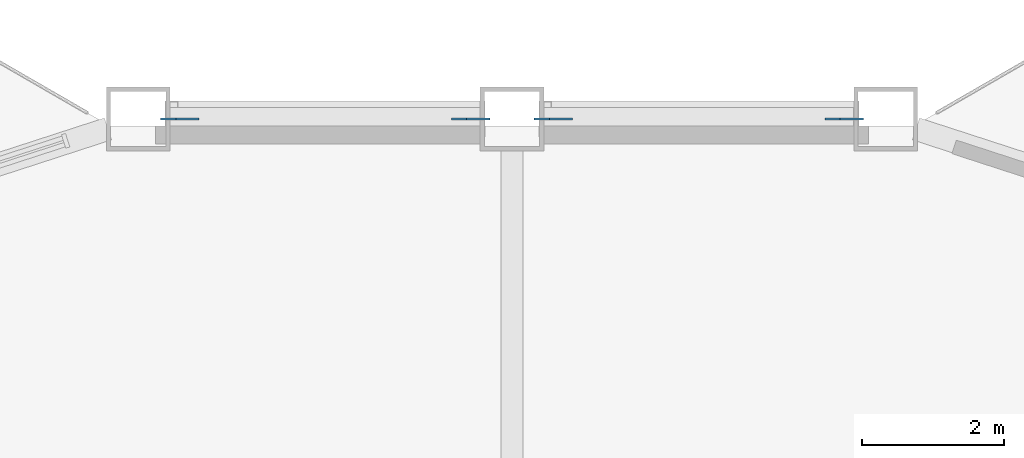
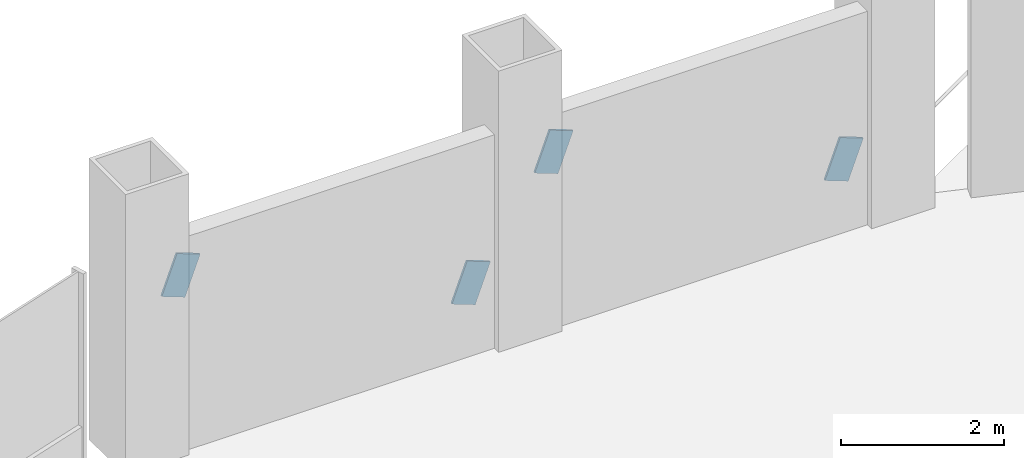
# One storey, part 16 of 21: 4 discrete accessories.
"""IFC4 building model written with IfcOpenShell, lengths in metres."""

import ifcopenshell
import ifcopenshell.guid

model = None  # the IFC model being written
_history = None  # IfcOwnerHistory: only IFC2X3 demands one
_inside = {}  # id of a spatial element -> (the spatial element, [elements in it])
_under = {}  # id of a project, library or spatial element -> (it, [spatial elements below it])
_declared = {}  # id of a project -> (the project, [libraries it declares])
_typed = {}  # id of a type object -> (the type object, [elements of that type])
_made_of = {}  # id of a material, layer set ... -> (it, [elements and type objects made of it])


def new_model(schema):
    """Start an empty IFC model of exactly this schema.

    Asked for "IFC4X3", IfcOpenShell would pick the latest addendum, in which some entities
    have other attributes; the version numbers below select the first issue.
    IFC2X3 requires an IfcOwnerHistory on every rooted entity: one is made here for all.
    """
    global model, _history
    if schema == "IFC4X3":
        model = ifcopenshell.file(schema_version=(4, 3, 0, 0))
    else:
        model = ifcopenshell.file(schema=schema)
    _inside.clear()
    _under.clear()
    _declared.clear()
    _typed.clear()
    _made_of.clear()
    _history = None
    if model.schema == "IFC2X3":
        org = make("IfcOrganization", Name="unknown")
        user = make(
            "IfcPersonAndOrganization",
            ThePerson=make("IfcPerson", FamilyName="unknown"),
            TheOrganization=org,
        )
        app = make(
            "IfcApplication",
            ApplicationDeveloper=org,
            Version="unknown",
            ApplicationFullName="unknown",
            ApplicationIdentifier="unknown",
        )
        _history = make(
            "IfcOwnerHistory",
            OwningUser=user,
            OwningApplication=app,
            ChangeAction="ADDED",
            CreationDate=0,
        )
    return model


def make(cls, **values):
    """One entity of the class cls with the attributes given. An attribute that is None is left unset."""
    return model.create_entity(
        cls, **{name: value for name, value in values.items() if value is not None}
    )


def rooted(cls, **values):
    """An entity with a GlobalId (a new one), such as an element, a storey or a relation."""
    return make(cls, GlobalId=ifcopenshell.guid.new(), OwnerHistory=_history, **values)


def si_unit(unit_type, name, prefix=None):
    """IfcSIUnit, for example si_unit("LENGTHUNIT", "METRE", prefix="MILLI")."""
    return make("IfcSIUnit", UnitType=unit_type, Prefix=prefix, Name=name)


def assignment(units):
    """IfcUnitAssignment: the units of a project."""
    return None if units is None else make("IfcUnitAssignment", Units=units)


def point(xyz):
    """IfcCartesianPoint."""
    return None if xyz is None else make("IfcCartesianPoint", Coordinates=xyz)


def direction(xyz):
    """IfcDirection."""
    return None if xyz is None else make("IfcDirection", DirectionRatios=xyz)


def frame(location, z_axis=None, x_axis=None):
    """IfcAxis2Placement3D, a coordinate frame: its origin and axes. An axis left out is left unset."""
    return make(
        "IfcAxis2Placement3D",
        Location=point(location),
        Axis=direction(z_axis),
        RefDirection=direction(x_axis),
    )


def frame_2d(location, x_axis=None):
    """IfcAxis2Placement2D, a coordinate frame in the plane: its origin and x axis."""
    return make(
        "IfcAxis2Placement2D", Location=point(location), RefDirection=direction(x_axis)
    )


def origin():
    """The frame at (0, 0, 0) with its axes left unset."""
    return frame((0.0, 0.0, 0.0))


def origin_2d():
    """The frame at (0, 0) in the plane with its x axis left unset."""
    return frame_2d((0.0, 0.0))


def place(relative_to, where):
    """IfcLocalPlacement: puts the frame where relative to a parent placement (None: the world)."""
    return make(
        "IfcLocalPlacement", PlacementRelTo=relative_to, RelativePlacement=where
    )


def context(
    kind, dimensions, precision=None, world=None, true_north=None, identifier=None
):
    """IfcGeometricRepresentationContext, for example the 3D "Model" context."""
    return make(
        "IfcGeometricRepresentationContext",
        ContextIdentifier=identifier,
        ContextType=kind,
        CoordinateSpaceDimension=dimensions,
        Precision=precision,
        WorldCoordinateSystem=world,
        TrueNorth=true_north,
    )


def subcontext(parent, identifier, kind, view, scale=None):
    """IfcGeometricRepresentationSubContext, for example "Body" below "Model"."""
    return make(
        "IfcGeometricRepresentationSubContext",
        ContextIdentifier=identifier,
        ContextType=kind,
        ParentContext=parent,
        TargetScale=scale,
        TargetView=view,
    )


def project(units=None, contexts=None):
    """IfcProject with its units and contexts."""
    return rooted(
        "IfcProject",
        Name="project",
        RepresentationContexts=contexts,
        UnitsInContext=assignment(units),
    )


def spatial(cls, under=None, at=None, **own):
    """A site, building, storey or space (cls), placed at a placement, below another one or the project."""
    s = rooted(cls, ObjectPlacement=at, **own)
    if under is not None:
        _under.setdefault(under.id(), (under, []))[1].append(s)
    return s


def profile(cls, at=None, kind="AREA", **sizes):
    """A parametric profile (cls). Its sizes go by their IFC names, for example OverallWidth=200.0."""
    return make(cls, ProfileType=kind, Position=at, **sizes)


def rectangle(**sizes):
    """IfcRectangleProfileDef."""
    return profile("IfcRectangleProfileDef", **sizes)


def extrude(swept, where, along, depth):
    """IfcExtrudedAreaSolid: the profile swept, set in the frame where, extruded along a direction by depth."""
    return make(
        "IfcExtrudedAreaSolid",
        SweptArea=swept,
        Position=where,
        ExtrudedDirection=direction(along),
        Depth=depth,
    )


def shape(context_of_items, identifier, shape_type, items):
    """IfcShapeRepresentation: the items that make up one representation, for example the "Body"."""
    return make(
        "IfcShapeRepresentation",
        ContextOfItems=context_of_items,
        RepresentationIdentifier=identifier,
        RepresentationType=shape_type,
        Items=items,
    )


def material(Name=None, Category=None):
    """IfcMaterial."""
    return make("IfcMaterial", Name=Name, Category=Category)


def material_profile(
    of_material, cross_section, Name=None, Category=None, Priority=None
):
    """IfcMaterialProfile: a cross section and its material."""
    return make(
        "IfcMaterialProfile",
        Name=Name,
        Material=of_material,
        Profile=cross_section,
        Priority=Priority,
        Category=Category,
    )


def profile_set(profiles, Name=None, composite=None):
    """IfcMaterialProfileSet."""
    return make(
        "IfcMaterialProfileSet",
        Name=Name,
        MaterialProfiles=profiles,
        CompositeProfile=composite,
    )


def made_of(thing, what):
    """Note that an element or type object is made of a material, layer set ...; save() writes the relation."""
    if what is not None:
        _made_of.setdefault(what.id(), (what, []))[1].append(thing)
    return thing


def type_object(cls, material=None, **own):
    """A type object (cls), such as IfcWallType, which elements share."""
    return made_of(rooted(cls, **own), material)


def element(
    cls,
    number,
    at=None,
    inside=None,
    cuts=None,
    type_object=None,
    material=None,
    context=None,
    identifier="Body",
    shape_type=None,
    held_by="IfcProductDefinitionShape",
    body=None,
    shapes=None,
    **own,
):
    """One element of the class cls, such as IfcWall. Its Tag is "e" and its number.

    at: its placement. inside: the storey or other place that contains it. cuts: it is an
    opening in that element (IfcRelVoidsElement). A single representation is given by context,
    identifier, shape_type and body (its items); several are given by shapes. held_by: the class
    of the entity that holds the representations. save() writes the other relations.
    """
    e = rooted(cls, Tag="e%d" % number, ObjectPlacement=at, **own)
    if body is not None:
        shapes = [shape(context, identifier, shape_type, body)]
    if shapes is not None:
        e.Representation = make(held_by, Representations=shapes)
    if inside is not None:
        _inside.setdefault(inside.id(), (inside, []))[1].append(e)
    if cuts is not None:
        rooted(
            "IfcRelVoidsElement", RelatingBuildingElement=cuts, RelatedOpeningElement=e
        )
    if type_object is not None:
        _typed.setdefault(type_object.id(), (type_object, []))[1].append(e)
    return made_of(e, material)


def aggregate(whole, parts):
    """IfcRelAggregates: a whole, such as a stair, and the parts it consists of."""
    return rooted("IfcRelAggregates", RelatingObject=whole, RelatedObjects=parts)


def save(model, path):
    """Write the relations noted so far, then the file.

    IfcRelAggregates (storeys below a building ...), IfcRelContainedInSpatialStructure (elements
    in a storey), IfcRelDefinesByType, IfcRelAssociatesMaterial and IfcRelDeclares: one each for
    every whole, place, type object, material and project.
    """
    for whole, parts in _under.values():
        aggregate(whole, parts)
    for where, things in _inside.values():
        rooted(
            "IfcRelContainedInSpatialStructure",
            RelatedElements=things,
            RelatingStructure=where,
        )
    for kind, things in _typed.values():
        rooted("IfcRelDefinesByType", RelatedObjects=things, RelatingType=kind)
    for what, things in _made_of.values():
        rooted("IfcRelAssociatesMaterial", RelatedObjects=things, RelatingMaterial=what)
    for by, libraries in _declared.values():
        rooted("IfcRelDeclares", RelatingContext=by, RelatedDefinitions=libraries)
    model.write(path)


model = new_model("IFC4")

# Units and contexts
model_context = context("Model", 3, precision=1e-05, world=origin(), true_north=direction((0.0, 1.0)))
body_context = subcontext(model_context, "Body", "Model", "MODEL_VIEW")
ifc_project = project(units=[si_unit("LENGTHUNIT", "METRE"), si_unit("AREAUNIT", "SQUARE_METRE"), si_unit("VOLUMEUNIT", "CUBIC_METRE"), si_unit("PLANEANGLEUNIT", "RADIAN"), si_unit("MASSUNIT", "GRAM", prefix="KILO")], contexts=[model_context])

# Site, building, storey
site_placement = place(None, origin())
site = spatial("IfcSite", under=ifc_project, at=site_placement, CompositionType="ELEMENT")
building_placement = place(site_placement, origin())
building = spatial("IfcBuilding", under=site, at=building_placement, Name="Cormorant Prow Tower", CompositionType="ELEMENT")
storey_placement = place(building_placement, frame((0.0, 0.0, 129.0)))
storey = spatial("IfcBuildingStorey", under=building, at=storey_placement, Name="L27", CompositionType="ELEMENT", Elevation=129.0)

# Discrete accessories
ifc_material = material(Name="Structural steel ASTM A500 Gr C", Category="steel")
ifc_material_profile = material_profile(ifc_material, rectangle(XDim=0.031982421875, YDim=0.60791015625, at=origin_2d()), Name="Gusset plate 32x608")
ifc_profile_set = profile_set([ifc_material_profile], Name="Structural steel ASTM A500 Gr C")
discrete_accessory_type = type_object("IfcDiscreteAccessoryType", Name="Gusset plate 32x608", PredefinedType="BRACKET", material=ifc_profile_set)
for number, where, z_axis, x_axis, name in (
    (1, (4.521240234375, 32.487060546875, 0.882568359375), (0.935379822228, 0.0, -0.353644720261), (0.0, 1.0, 0.0), "Gusset plate GP1 L27.N00.g0"),
    (2, (0.74853515625, 32.487060546875, 2.306396484375), (-0.935697286394, 0.0, 0.35280389487), (0.0, -1.0, 0.0), "Gusset plate GP1 L27.N00.g1"),
):
    element("IfcDiscreteAccessory", number, at=place(storey_placement, frame(where, z_axis=z_axis, x_axis=x_axis)), inside=storey, type_object=discrete_accessory_type, Name=name, PredefinedType="BRACKET", context=body_context, shape_type="SweptSolid", body=[
        extrude(rectangle(XDim=0.031982421875, YDim=0.60791015625, at=origin_2d()), origin(), (0.0, 0.0, 1.0), 0.35009765625),
    ])
discrete_accessory_1_placement = place(storey_placement, frame((-0.74853515625, 32.487060546875, 0.882568359375), z_axis=(0.935466972489, 0.0, -0.35341412448), x_axis=(0.0, 1.0, 0.0)))
element("IfcDiscreteAccessory", 3, at=discrete_accessory_1_placement, inside=storey, type_object=discrete_accessory_type, Name="Gusset plate GP1 L27.N01.g0", PredefinedType="BRACKET", context=body_context, shape_type="SweptSolid", body=[
    extrude(rectangle(XDim=0.031982421875, YDim=0.60791015625, at=origin_2d()), origin(), (0.0, 0.0, 1.0), 0.350341796875),
])
discrete_accessory_2_placement = place(storey_placement, frame((-4.521240234375, 32.487060546875, 2.306396484375), z_axis=(-0.935610415408, 0.0, 0.353034205963), x_axis=(0.0, -1.0, 0.0)))
element("IfcDiscreteAccessory", 4, at=discrete_accessory_2_placement, inside=storey, type_object=discrete_accessory_type, Name="Gusset plate GP1 L27.N01.g1", PredefinedType="BRACKET", context=body_context, shape_type="SweptSolid", body=[
    extrude(rectangle(XDim=0.031982421875, YDim=0.60791015625, at=origin_2d()), origin(), (0.0, 0.0, 1.0), 0.349853515625),
])

save(model, "model.ifc")
